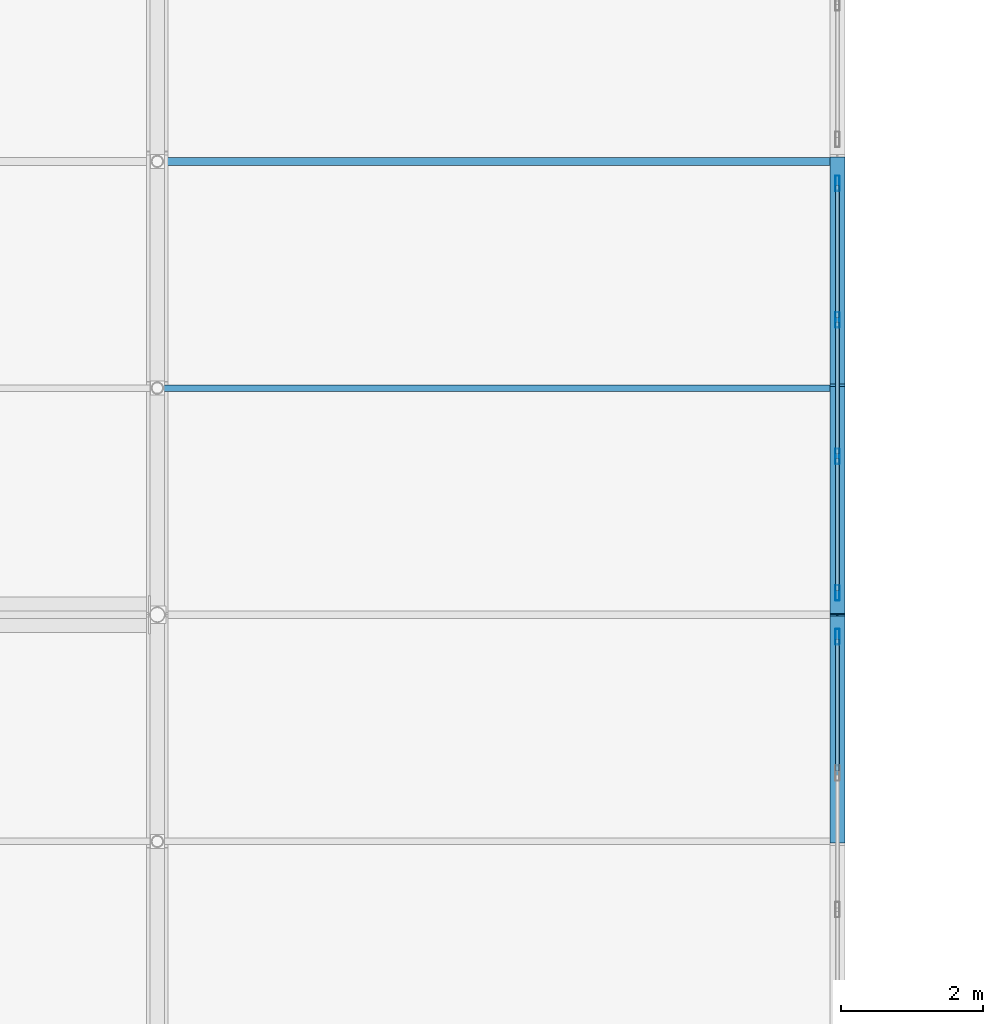
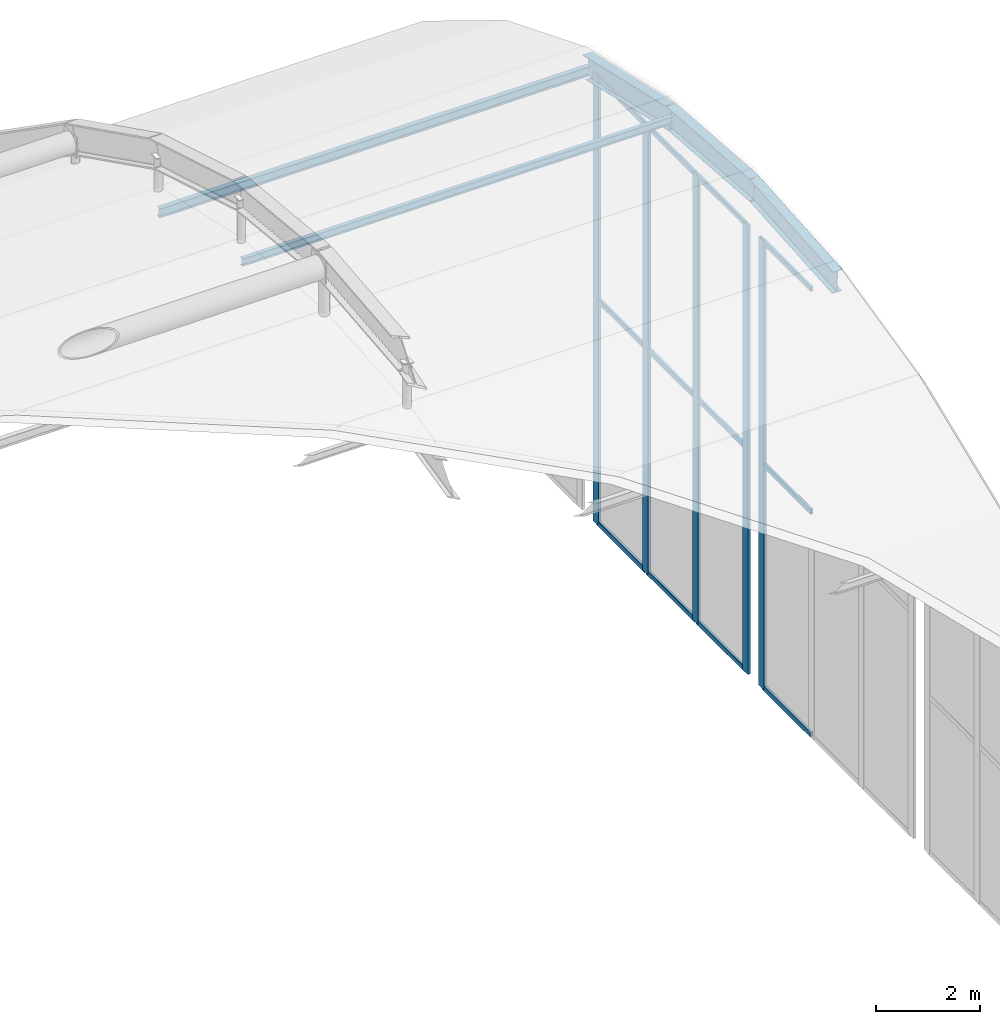
# One storey, part 96 of 126: 19 members, 3 beams, 2 elements without a shape of their own.
"""IFC4 building model written with IfcOpenShell, lengths in metres."""

from ifc_helpers import new_model, si_unit, direction, frame, origin, origin_2d, place, context, subcontext, project, spatial, hollow_rectangle, i_section, extrude, material, material_profile, profile_set, type_object, element, aggregate, save


model = new_model("IFC4")

# Units and contexts
model_context = context("Model", 3, precision=1e-05, world=origin(), true_north=direction((0.0, 1.0)))
body_context = subcontext(model_context, "Body", "Model", "MODEL_VIEW")
ifc_project = project(units=[si_unit("LENGTHUNIT", "METRE"), si_unit("AREAUNIT", "SQUARE_METRE"), si_unit("VOLUMEUNIT", "CUBIC_METRE"), si_unit("PLANEANGLEUNIT", "RADIAN"), si_unit("MASSUNIT", "GRAM", prefix="KILO")], contexts=[model_context])

# Site, building, storey
site_placement = place(None, origin())
site = spatial("IfcSite", under=ifc_project, at=site_placement, CompositionType="ELEMENT")
building_placement = place(site_placement, origin())
building = spatial("IfcBuilding", under=site, at=building_placement, Name="Coralgate Yard Interchange", CompositionType="ELEMENT")
storey_placement = place(building_placement, frame((0.0, 0.0, 10.5)))
storey = spatial("IfcBuildingStorey", under=building, at=storey_placement, Name="L02", CompositionType="ELEMENT", Elevation=10.5)

# Beams
ifc_material_1 = material(Name="Weather-coated structural steel S355J2", Category="steel")
ifc_material_profile_1 = material_profile(ifc_material_1, i_section(OverallWidth=0.209228515625, OverallDepth=0.533203125, WebThickness=0.010009765625, FlangeThickness=0.015625, FilletRadius=0.0126953125, at=origin_2d()), Name="UB 533x210x92")
ifc_profile_set_1 = profile_set([ifc_material_profile_1], Name="Weather-coated structural steel S355J2")
beam_type = type_object("IfcBeamType", Name="BM-VR-1", PredefinedType="BEAM", material=ifc_profile_set_1)
beam_1_placement = place(storey_placement, frame((134.39990234375, 54.39990234375, 11.31884765625), z_axis=(0.0, 0.997211212266, 0.074631080198), x_axis=(-1.0, 0.0, 0.0)))
element("IfcBeam", 1, at=beam_1_placement, inside=storey, type_object=beam_type, Name="Barrel-vault gridshell rib 11 seg 6", PredefinedType="BEAM", context=body_context, shape_type="SweptSolid", body=[
    extrude(i_section(OverallWidth=0.209228515625, OverallDepth=0.533203125, WebThickness=0.010009765625, FlangeThickness=0.015625, FilletRadius=0.0126953125, at=origin_2d()), origin(), (0.0, 0.0, 1.0), 3.209228515625),
])
beam_2_placement = place(storey_placement, frame((134.39990234375, 57.60009765625, 11.558349609375), z_axis=(0.0, 0.997210788487, -0.074636742466), x_axis=(-1.0, 0.0, 0.0)))
element("IfcBeam", 2, at=beam_2_placement, inside=storey, type_object=beam_type, Name="Barrel-vault gridshell rib 11 seg 7", PredefinedType="BEAM", context=body_context, shape_type="SweptSolid", body=[
    extrude(i_section(OverallWidth=0.209228515625, OverallDepth=0.533203125, WebThickness=0.010009765625, FlangeThickness=0.015625, FilletRadius=0.0126953125, at=origin_2d()), origin(), (0.0, 0.0, 1.0), 3.208984375),
])
beam_3_placement = place(storey_placement, frame((134.39990234375, 60.800048828125, 11.31884765625), z_axis=(0.0, 0.974597563071, -0.223963367664), x_axis=(-1.0, 0.0, 0.0)))
element("IfcBeam", 3, at=beam_3_placement, inside=storey, type_object=beam_type, Name="Barrel-vault gridshell rib 11 seg 8", PredefinedType="BEAM", context=body_context, shape_type="SweptSolid", body=[
    extrude(i_section(OverallWidth=0.209228515625, OverallDepth=0.533203125, WebThickness=0.010009765625, FlangeThickness=0.015625, FilletRadius=0.0126953125, at=origin_2d()), origin(), (0.0, 0.0, 1.0), 3.283447265625),
])

# Curtain wall, member
ifc_material_2 = material(Name="Anodised coastal aluminium and solar-control low-E glass", Category="aluminium")
curtain_wall_type = type_object("IfcCurtainWallType", Name="CW-CW-VLT-3", PredefinedType="NOTDEFINED", material=ifc_material_2)
curtain_wall_1_placement = place(storey_placement, origin())
curtain_wall_1 = element("IfcCurtainWall", 4, at=curtain_wall_1_placement, inside=storey, type_object=curtain_wall_type, Name="L02 unitised curtain wall CW-VAULT-E-3", PredefinedType="NOTDEFINED")
ifc_material_3 = material(Name="Anodised coastal aluminium 6063-T6", Category="aluminium")
ifc_material_profile_2 = material_profile(ifc_material_3, hollow_rectangle(XDim=0.06005859375, YDim=0.219970703125, WallThickness=0.00390625, InnerFilletRadius=0.00390625, OuterFilletRadius=0.008056640625, at=origin_2d()), Name="ALU 60x220x4")
ifc_profile_set_2 = profile_set([ifc_material_profile_2], Name="Anodised coastal aluminium 6063-T6")
member_type_1 = type_object("IfcMemberType", Name="MB-MUL-220", PredefinedType="MULLION", material=ifc_profile_set_2)
member_1_placement = place(storey_placement, frame((134.39990234375, 57.2900390625, 0.0), z_axis=(0.0, 0.0, 1.0), x_axis=(1.0, 0.0, 0.0)))
member_1 = element("IfcMember", 5, at=member_1_placement, type_object=member_type_1, Name="CW-VAULT-E-3 vertical mullion 1", PredefinedType="MULLION", context=body_context, shape_type="SweptSolid", body=[
    extrude(hollow_rectangle(XDim=0.06005859375, YDim=0.219970703125, WallThickness=0.00390625, InnerFilletRadius=0.00390625, OuterFilletRadius=0.008056640625, at=origin_2d()), origin(), (0.0, 0.0, 1.0), 10.575927734375),
])

# Curtain wall, members
curtain_wall_2_placement = place(storey_placement, origin())
curtain_wall_2 = element("IfcCurtainWall", 6, at=curtain_wall_2_placement, inside=storey, type_object=curtain_wall_type, Name="L02 unitised curtain wall CW-VAULT-E-4", PredefinedType="NOTDEFINED")
member_2_placement = place(storey_placement, frame((134.39990234375, 63.68994140625, 0.0), z_axis=(0.0, 0.0, 1.0), x_axis=(1.0, 0.0, 0.0)))
member_2 = element("IfcMember", 7, at=member_2_placement, type_object=member_type_1, Name="CW-VAULT-E-4 vertical mullion 1", PredefinedType="MULLION", context=body_context, shape_type="SweptSolid", body=[
    extrude(hollow_rectangle(XDim=0.06005859375, YDim=0.219970703125, WallThickness=0.00390625, InnerFilletRadius=0.00390625, OuterFilletRadius=0.008056640625, at=origin_2d()), origin(), (0.0, 0.0, 1.0), 10.575927734375),
])
member_3_placement = place(storey_placement, frame((134.39990234375, 61.763427734375, 0.0), z_axis=(0.0, 0.0, 1.0), x_axis=(1.0, 0.0, 0.0)))
member_3 = element("IfcMember", 8, at=member_3_placement, type_object=member_type_1, Name="CW-VAULT-E-4 vertical mullion 2", PredefinedType="MULLION", context=body_context, shape_type="SweptSolid", body=[
    extrude(hollow_rectangle(XDim=0.06005859375, YDim=0.219970703125, WallThickness=0.00390625, InnerFilletRadius=0.00390625, OuterFilletRadius=0.008056640625, at=origin_2d()), origin(), (0.0, 0.0, 1.0), 10.575927734375),
])
member_4_placement = place(storey_placement, frame((134.39990234375, 59.836669921875, 0.0), z_axis=(0.0, 0.0, 1.0), x_axis=(1.0, 0.0, 0.0)))
member_4 = element("IfcMember", 9, at=member_4_placement, type_object=member_type_1, Name="CW-VAULT-E-4 vertical mullion 3", PredefinedType="MULLION", context=body_context, shape_type="SweptSolid", body=[
    extrude(hollow_rectangle(XDim=0.06005859375, YDim=0.219970703125, WallThickness=0.00390625, InnerFilletRadius=0.00390625, OuterFilletRadius=0.008056640625, at=origin_2d()), origin(), (0.0, 0.0, 1.0), 10.575927734375),
])
member_5_placement = place(storey_placement, frame((134.39990234375, 57.909912109375, 0.0), z_axis=(0.0, 0.0, 1.0), x_axis=(1.0, 0.0, 0.0)))
member_5 = element("IfcMember", 10, at=member_5_placement, type_object=member_type_1, Name="CW-VAULT-E-4 vertical mullion 4", PredefinedType="MULLION", context=body_context, shape_type="SweptSolid", body=[
    extrude(hollow_rectangle(XDim=0.06005859375, YDim=0.219970703125, WallThickness=0.00390625, InnerFilletRadius=0.00390625, OuterFilletRadius=0.008056640625, at=origin_2d()), origin(), (0.0, 0.0, 1.0), 10.575927734375),
])

# Members
ifc_material_profile_3 = material_profile(ifc_material_1, i_section(OverallWidth=0.110107421875, OverallDepth=0.219970703125, WebThickness=0.005859375, FlangeThickness=0.00927734375, FilletRadius=0.011962890625, at=origin_2d()), Name="IPE 220")
ifc_profile_set_3 = profile_set([ifc_material_profile_3], Name="Weather-coated structural steel S355J2")
member_type_2 = type_object("IfcMemberType", Name="MB-PR-1", PredefinedType="PURLIN", material=ifc_profile_set_3)
member_6_placement = place(storey_placement, frame((124.802001953125, 64.0, 10.489990234375), z_axis=(1.0, 0.0, 0.0), x_axis=(0.0, 1.0, 0.0)))
element("IfcMember", 11, at=member_6_placement, inside=storey, type_object=member_type_2, Name="Barrel-vault gridshell purlin 10-9", PredefinedType="PURLIN", context=body_context, shape_type="SweptSolid", body=[
    extrude(i_section(OverallWidth=0.110107421875, OverallDepth=0.219970703125, WebThickness=0.005859375, FlangeThickness=0.00927734375, FilletRadius=0.011962890625, at=origin_2d()), origin(), (0.0, 0.0, 1.0), 9.595947265625),
])
ifc_material_4 = material(Name="Off-white architectural structural steel S355J2", Category="steel")
ifc_material_profile_4 = material_profile(ifc_material_4, i_section(OverallWidth=0.091064453125, OverallDepth=0.179931640625, WebThickness=0.00537109375, FlangeThickness=0.008056640625, FilletRadius=0.009033203125, at=origin_2d()), Name="IPE 180")
ifc_profile_set_4 = profile_set([ifc_material_profile_4], Name="Off-white architectural structural steel S355J2")
member_type_3 = type_object("IfcMemberType", Name="MB-PR-2", PredefinedType="PURLIN", material=ifc_profile_set_4)
member_7_placement = place(storey_placement, frame((124.802001953125, 60.800048828125, 11.265380859375), z_axis=(1.0, 0.0, 0.0), x_axis=(0.0, 1.0, 0.0)))
element("IfcMember", 12, at=member_7_placement, inside=storey, type_object=member_type_3, Name="Barrel-vault gridshell purlin 10-8", PredefinedType="PURLIN", context=body_context, shape_type="SweptSolid", body=[
    extrude(i_section(OverallWidth=0.091064453125, OverallDepth=0.179931640625, WebThickness=0.00537109375, FlangeThickness=0.008056640625, FilletRadius=0.009033203125, at=origin_2d()), origin(), (0.0, 0.0, 1.0), 9.595947265625),
])

# Member
ifc_material_profile_5 = material_profile(ifc_material_3, hollow_rectangle(XDim=0.06005859375, YDim=0.1201171875, WallThickness=0.00341796875, InnerFilletRadius=0.00341796875, OuterFilletRadius=0.007080078125, at=origin_2d()), Name="ALU 60x120x3.5")
ifc_profile_set_5 = profile_set([ifc_material_profile_5], Name="Anodised coastal aluminium 6063-T6")
member_type_4 = type_object("IfcMemberType", Name="MB-TRN-120", PredefinedType="USERDEFINED", material=ifc_profile_set_5)
member_8_placement = place(storey_placement, frame((134.39990234375, 57.260009765625, 0.034912109375), z_axis=(0.0, -1.0, 0.0), x_axis=(1.0, 0.0, 0.0)))
member_8 = element("IfcMember", 13, at=member_8_placement, type_object=member_type_4, Name="CW-VAULT-E-3 horizontal transom 1-1", ObjectType="TRANSOM", PredefinedType="USERDEFINED", context=body_context, shape_type="SweptSolid", body=[
    extrude(hollow_rectangle(XDim=0.06005859375, YDim=0.1201171875, WallThickness=0.00341796875, InnerFilletRadius=0.00341796875, OuterFilletRadius=0.007080078125, at=origin_2d()), origin(), (0.0, 0.0, 1.0), 1.86669921875),
])

member_9_placement = place(storey_placement, frame((134.39990234375, 57.260009765625, 5.2880859375), z_axis=(0.0, -1.0, 0.0), x_axis=(1.0, 0.0, 0.0)))
member_9 = element("IfcMember", 14, at=member_9_placement, type_object=member_type_4, Name="CW-VAULT-E-3 horizontal transom 1-2", ObjectType="TRANSOM", PredefinedType="USERDEFINED", context=body_context, shape_type="SweptSolid", body=[
    extrude(hollow_rectangle(XDim=0.06005859375, YDim=0.1201171875, WallThickness=0.00341796875, InnerFilletRadius=0.00341796875, OuterFilletRadius=0.007080078125, at=origin_2d()), origin(), (0.0, 0.0, 1.0), 1.86669921875),
])

member_10_placement = place(storey_placement, frame((134.39990234375, 57.260009765625, 10.541015625), z_axis=(0.0, -1.0, 0.0), x_axis=(1.0, 0.0, 0.0)))
member_10 = element("IfcMember", 15, at=member_10_placement, type_object=member_type_4, Name="CW-VAULT-E-3 horizontal transom 1-3", ObjectType="TRANSOM", PredefinedType="USERDEFINED", context=body_context, shape_type="SweptSolid", body=[
    extrude(hollow_rectangle(XDim=0.06005859375, YDim=0.1201171875, WallThickness=0.00341796875, InnerFilletRadius=0.00341796875, OuterFilletRadius=0.007080078125, at=origin_2d()), origin(), (0.0, 0.0, 1.0), 1.86669921875),
])

aggregate(curtain_wall_1, [member_1, member_8, member_9, member_10])

member_11_placement = place(storey_placement, frame((134.39990234375, 63.659912109375, 0.034912109375), z_axis=(0.0, -1.0, 0.0), x_axis=(1.0, 0.0, 0.0)))
member_11 = element("IfcMember", 16, at=member_11_placement, type_object=member_type_4, Name="CW-VAULT-E-4 horizontal transom 1-1", ObjectType="TRANSOM", PredefinedType="USERDEFINED", context=body_context, shape_type="SweptSolid", body=[
    extrude(hollow_rectangle(XDim=0.06005859375, YDim=0.1201171875, WallThickness=0.00341796875, InnerFilletRadius=0.00341796875, OuterFilletRadius=0.007080078125, at=origin_2d()), origin(), (0.0, 0.0, 1.0), 1.86669921875),
])

member_12_placement = place(storey_placement, frame((134.39990234375, 63.659912109375, 5.2880859375), z_axis=(0.0, -1.0, 0.0), x_axis=(1.0, 0.0, 0.0)))
member_12 = element("IfcMember", 17, at=member_12_placement, type_object=member_type_4, Name="CW-VAULT-E-4 horizontal transom 1-2", ObjectType="TRANSOM", PredefinedType="USERDEFINED", context=body_context, shape_type="SweptSolid", body=[
    extrude(hollow_rectangle(XDim=0.06005859375, YDim=0.1201171875, WallThickness=0.00341796875, InnerFilletRadius=0.00341796875, OuterFilletRadius=0.007080078125, at=origin_2d()), origin(), (0.0, 0.0, 1.0), 1.86669921875),
])

member_13_placement = place(storey_placement, frame((134.39990234375, 63.659912109375, 10.541015625), z_axis=(0.0, -1.0, 0.0), x_axis=(1.0, 0.0, 0.0)))
member_13 = element("IfcMember", 18, at=member_13_placement, type_object=member_type_4, Name="CW-VAULT-E-4 horizontal transom 1-3", ObjectType="TRANSOM", PredefinedType="USERDEFINED", context=body_context, shape_type="SweptSolid", body=[
    extrude(hollow_rectangle(XDim=0.06005859375, YDim=0.1201171875, WallThickness=0.00341796875, InnerFilletRadius=0.00341796875, OuterFilletRadius=0.007080078125, at=origin_2d()), origin(), (0.0, 0.0, 1.0), 1.86669921875),
])

member_14_placement = place(storey_placement, frame((134.39990234375, 61.7333984375, 0.034912109375), z_axis=(0.0, -1.0, 0.0), x_axis=(1.0, 0.0, 0.0)))
member_14 = element("IfcMember", 19, at=member_14_placement, type_object=member_type_4, Name="CW-VAULT-E-4 horizontal transom 2-1", ObjectType="TRANSOM", PredefinedType="USERDEFINED", context=body_context, shape_type="SweptSolid", body=[
    extrude(hollow_rectangle(XDim=0.06005859375, YDim=0.1201171875, WallThickness=0.00341796875, InnerFilletRadius=0.00341796875, OuterFilletRadius=0.007080078125, at=origin_2d()), origin(), (0.0, 0.0, 1.0), 1.86669921875),
])

member_15_placement = place(storey_placement, frame((134.39990234375, 61.7333984375, 5.2880859375), z_axis=(0.0, -1.0, 0.0), x_axis=(1.0, 0.0, 0.0)))
member_15 = element("IfcMember", 20, at=member_15_placement, type_object=member_type_4, Name="CW-VAULT-E-4 horizontal transom 2-2", ObjectType="TRANSOM", PredefinedType="USERDEFINED", context=body_context, shape_type="SweptSolid", body=[
    extrude(hollow_rectangle(XDim=0.06005859375, YDim=0.1201171875, WallThickness=0.00341796875, InnerFilletRadius=0.00341796875, OuterFilletRadius=0.007080078125, at=origin_2d()), origin(), (0.0, 0.0, 1.0), 1.86669921875),
])

member_16_placement = place(storey_placement, frame((134.39990234375, 61.7333984375, 10.541015625), z_axis=(0.0, -1.0, 0.0), x_axis=(1.0, 0.0, 0.0)))
member_16 = element("IfcMember", 21, at=member_16_placement, type_object=member_type_4, Name="CW-VAULT-E-4 horizontal transom 2-3", ObjectType="TRANSOM", PredefinedType="USERDEFINED", context=body_context, shape_type="SweptSolid", body=[
    extrude(hollow_rectangle(XDim=0.06005859375, YDim=0.1201171875, WallThickness=0.00341796875, InnerFilletRadius=0.00341796875, OuterFilletRadius=0.007080078125, at=origin_2d()), origin(), (0.0, 0.0, 1.0), 1.86669921875),
])

member_17_placement = place(storey_placement, frame((134.39990234375, 59.806640625, 0.034912109375), z_axis=(0.0, -1.0, 0.0), x_axis=(1.0, 0.0, 0.0)))
member_17 = element("IfcMember", 22, at=member_17_placement, type_object=member_type_4, Name="CW-VAULT-E-4 horizontal transom 3-1", ObjectType="TRANSOM", PredefinedType="USERDEFINED", context=body_context, shape_type="SweptSolid", body=[
    extrude(hollow_rectangle(XDim=0.06005859375, YDim=0.1201171875, WallThickness=0.00341796875, InnerFilletRadius=0.00341796875, OuterFilletRadius=0.007080078125, at=origin_2d()), origin(), (0.0, 0.0, 1.0), 1.86669921875),
])

member_18_placement = place(storey_placement, frame((134.39990234375, 59.806640625, 5.2880859375), z_axis=(0.0, -1.0, 0.0), x_axis=(1.0, 0.0, 0.0)))
member_18 = element("IfcMember", 23, at=member_18_placement, type_object=member_type_4, Name="CW-VAULT-E-4 horizontal transom 3-2", ObjectType="TRANSOM", PredefinedType="USERDEFINED", context=body_context, shape_type="SweptSolid", body=[
    extrude(hollow_rectangle(XDim=0.06005859375, YDim=0.1201171875, WallThickness=0.00341796875, InnerFilletRadius=0.00341796875, OuterFilletRadius=0.007080078125, at=origin_2d()), origin(), (0.0, 0.0, 1.0), 1.86669921875),
])

member_19_placement = place(storey_placement, frame((134.39990234375, 59.806640625, 10.541015625), z_axis=(0.0, -1.0, 0.0), x_axis=(1.0, 0.0, 0.0)))
member_19 = element("IfcMember", 24, at=member_19_placement, type_object=member_type_4, Name="CW-VAULT-E-4 horizontal transom 3-3", ObjectType="TRANSOM", PredefinedType="USERDEFINED", context=body_context, shape_type="SweptSolid", body=[
    extrude(hollow_rectangle(XDim=0.06005859375, YDim=0.1201171875, WallThickness=0.00341796875, InnerFilletRadius=0.00341796875, OuterFilletRadius=0.007080078125, at=origin_2d()), origin(), (0.0, 0.0, 1.0), 1.86669921875),
])

aggregate(curtain_wall_2, [member_2, member_3, member_4, member_5, member_11, member_12, member_13, member_14, member_15, member_16, member_17, member_18, member_19])

save(model, "model.ifc")
